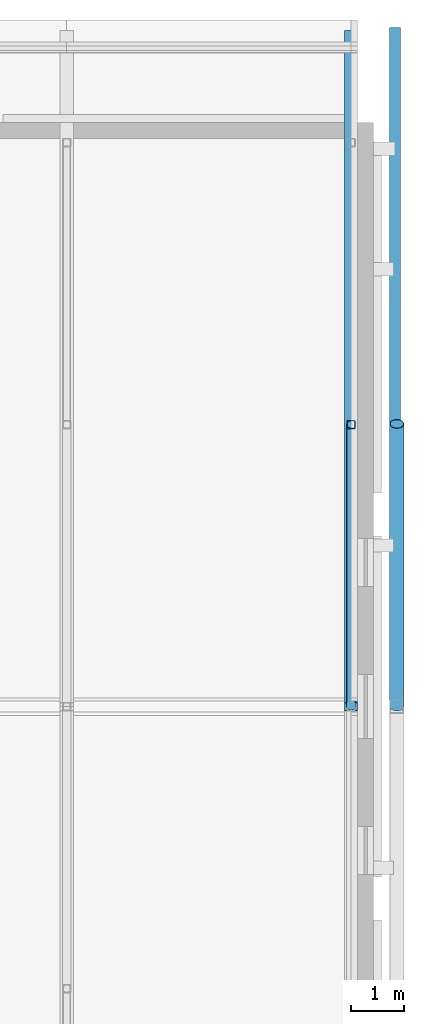
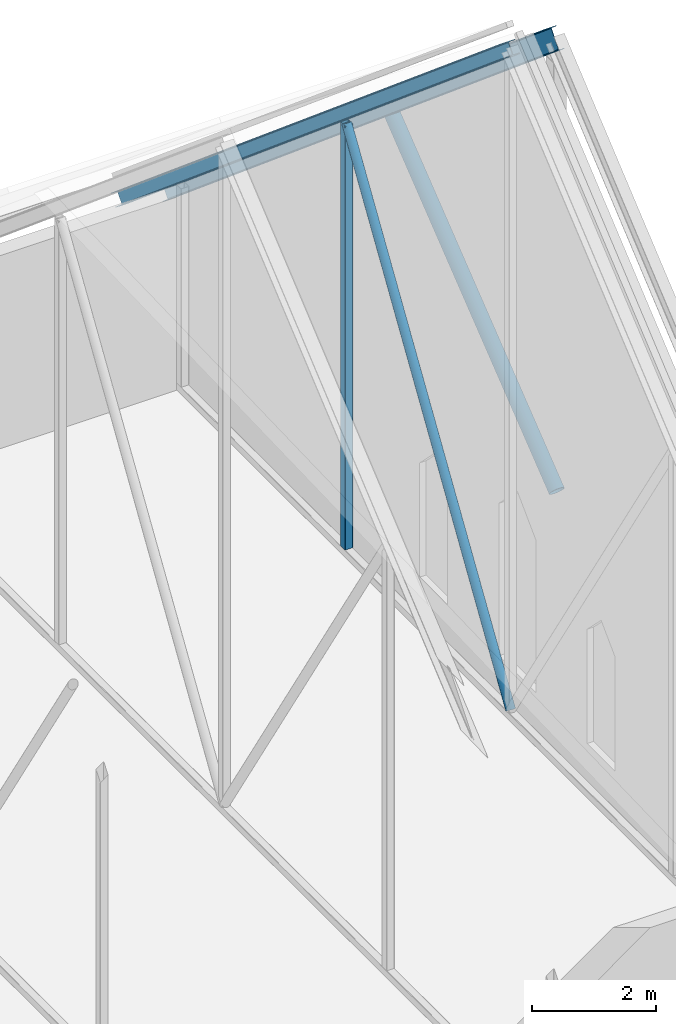
# One storey, part 21 of 29: 5 members.
"""IFC4 building model written with IfcOpenShell, lengths in metres."""

from ifc_helpers import new_model, si_unit, direction, frame, origin, origin_2d, place, context, subcontext, project, spatial, hollow_rectangle, hollow_circle, i_section, extrude, material, material_profile, profile_set, type_object, element, save


model = new_model("IFC4")

# Units and contexts
model_context = context("Model", 3, precision=1e-05, world=origin(), true_north=direction((0.0, 1.0)))
body_context = subcontext(model_context, "Body", "Model", "MODEL_VIEW")
ifc_project = project(units=[si_unit("LENGTHUNIT", "METRE"), si_unit("AREAUNIT", "SQUARE_METRE"), si_unit("VOLUMEUNIT", "CUBIC_METRE"), si_unit("PLANEANGLEUNIT", "RADIAN"), si_unit("MASSUNIT", "GRAM", prefix="KILO")], contexts=[model_context])

# Site, building, storey
site_placement = place(None, origin())
site = spatial("IfcSite", under=ifc_project, at=site_placement, CompositionType="ELEMENT")
building_placement = place(site_placement, origin())
building = spatial("IfcBuilding", under=site, at=building_placement, Name="Silangan Lancet Faculty of Sciences", CompositionType="ELEMENT")
storey_placement = place(building_placement, frame((0.0, 0.0, 54.300048828125)))
storey = spatial("IfcBuildingStorey", under=building, at=storey_placement, Name="L11", CompositionType="ELEMENT", Elevation=54.300048828125)

# Members
ifc_material_1 = material(Name="Steel SS400", Category="steel")
ifc_material_profile_1 = material_profile(ifc_material_1, i_section(OverallWidth=0.199951171875, OverallDepth=0.39990234375, WebThickness=0.008056640625, FlangeThickness=0.012939453125, FilletRadius=0.01611328125, at=origin_2d()), Name="H 400x200x8x13")
ifc_profile_set_1 = profile_set([ifc_material_profile_1], Name="Steel SS400")
member_type_1 = type_object("IfcMemberType", Name="Gable truss rafter H 400x200x8x13", PredefinedType="RAFTER", material=ifc_profile_set_1)
member_1_placement = place(storey_placement, frame((29.35009765625, 59.39990234375, 2.479248046875), z_axis=(0.0, -0.765701649721, 0.643195913866), x_axis=(1.0, 0.0, 0.0)))
element("IfcMember", 1, at=member_1_placement, inside=storey, type_object=member_type_1, Name="Gable truss rafter B", PredefinedType="RAFTER", context=body_context, shape_type="SweptSolid", body=[
    extrude(i_section(OverallWidth=0.199951171875, OverallDepth=0.39990234375, WebThickness=0.008056640625, FlangeThickness=0.012939453125, FilletRadius=0.01611328125, at=origin_2d()), origin(), (0.0, 0.0, 1.0), 16.455322265625),
])
ifc_material_2 = material(Name="Steel STK400", Category="steel")
ifc_material_profile_2 = material_profile(ifc_material_2, hollow_circle(Radius=0.1337890625, WallThickness=0.008056640625, at=origin_2d()), Name="CHS 267.4x8.0")
ifc_profile_set_2 = profile_set([ifc_material_profile_2], Name="Steel STK400")
member_type_2 = type_object("IfcMemberType", Name="Gable truss strut CHS 267.4x8.0", PredefinedType="BRACE", material=ifc_profile_set_2)
member_2_placement = place(storey_placement, frame((29.3837890625, 46.800048828125, 4.14990234375), z_axis=(0.0, 0.78373460295, 0.621095863888), x_axis=(-1.0, 0.0, 0.0)))
element("IfcMember", 2, at=member_2_placement, inside=storey, type_object=member_type_2, Name="Gable truss strut B", PredefinedType="BRACE", context=body_context, shape_type="SweptSolid", body=[
    extrude(hollow_circle(Radius=0.1337890625, WallThickness=0.008056640625, at=origin_2d()), origin(), (0.0, 0.0, 1.0), 6.762451171875),
])
ifc_material_3 = material(Name="Steel STK400", Category="steel")
ifc_material_profile_3 = material_profile(ifc_material_3, hollow_circle(Radius=0.08251953125, WallThickness=0.0048828125, at=origin_2d()), Name="CHS 165.2x5.0")
ifc_profile_set_3 = profile_set([ifc_material_profile_3], Name="Steel STK400")
member_type_3 = type_object("IfcMemberType", Name="Truss diagonal CHS 165.2x5.0", PredefinedType="BRACE", material=ifc_profile_set_3)
member_3_placement = place(storey_placement, frame((28.52490234375, 46.800048828125, 0.14990234375), z_axis=(0.0, 0.535278447344, 0.844675667821), x_axis=(-1.0, 0.0, 0.0)))
element("IfcMember", 3, at=member_3_placement, inside=storey, type_object=member_type_3, Name="Gable truss 5 diagonal N", PredefinedType="BRACE", context=body_context, shape_type="SweptSolid", body=[
    extrude(hollow_circle(Radius=0.08251953125, WallThickness=0.0048828125, at=origin_2d()), origin(), (0.0, 0.0, 1.0), 9.877685546875),
])
ifc_material_4 = material(Name="Steel STKR400", Category="steel")
ifc_material_profile_4 = material_profile(ifc_material_4, hollow_rectangle(XDim=0.14990234375, YDim=0.14990234375, WallThickness=0.006103515625, InnerFilletRadius=0.006103515625, OuterFilletRadius=0.011962890625, at=origin_2d()), Name="SHS 150x150x6.0")
ifc_profile_set_4 = profile_set([ifc_material_profile_4], Name="Steel STKR400")
member_type_4 = type_object("IfcMemberType", Name="Truss post SHS 150x150x6.0", PredefinedType="POST", material=ifc_profile_set_4)
member_4_placement = place(storey_placement, frame((28.52490234375, 52.08740234375, 0.14990234375), z_axis=(0.0, 0.0, 1.0), x_axis=(1.0, 0.0, 0.0)))
element("IfcMember", 4, at=member_4_placement, inside=storey, type_object=member_type_4, Name="Gable truss 5 mid post N", PredefinedType="POST", context=body_context, shape_type="SweptSolid", body=[
    extrude(hollow_rectangle(XDim=0.14990234375, YDim=0.14990234375, WallThickness=0.006103515625, InnerFilletRadius=0.006103515625, OuterFilletRadius=0.011962890625, at=origin_2d()), origin(), (0.0, 0.0, 1.0), 8.343505859375),
])
ifc_material_5 = material(Name="Steel SS400", Category="steel")
ifc_material_profile_5 = material_profile(ifc_material_5, i_section(OverallWidth=0.25, OverallDepth=0.25, WebThickness=0.009033203125, FlangeThickness=0.013916015625, FilletRadius=0.01611328125, at=origin_2d()), Name="H 250x250x9x14")
ifc_profile_set_5 = profile_set([ifc_material_profile_5], Name="Steel SS400")
member_type_5 = type_object("IfcMemberType", Name="Truss top chord H 250x250x9x14", PredefinedType="CHORD", material=ifc_profile_set_5)
member_5_placement = place(storey_placement, frame((28.52490234375, 59.39990234375, 2.5771484375), z_axis=(0.0, -0.765701649721, 0.643195913866), x_axis=(1.0, 0.0, 0.0)))
element("IfcMember", 5, at=member_5_placement, inside=storey, type_object=member_type_5, Name="Gable truss 5 rafter N", PredefinedType="CHORD", context=body_context, shape_type="SweptSolid", body=[
    extrude(i_section(OverallWidth=0.25, OverallDepth=0.25, WebThickness=0.009033203125, FlangeThickness=0.013916015625, FilletRadius=0.01611328125, at=origin_2d()), origin(), (0.0, 0.0, 1.0), 16.455322265625),
])

save(model, "model.ifc")
